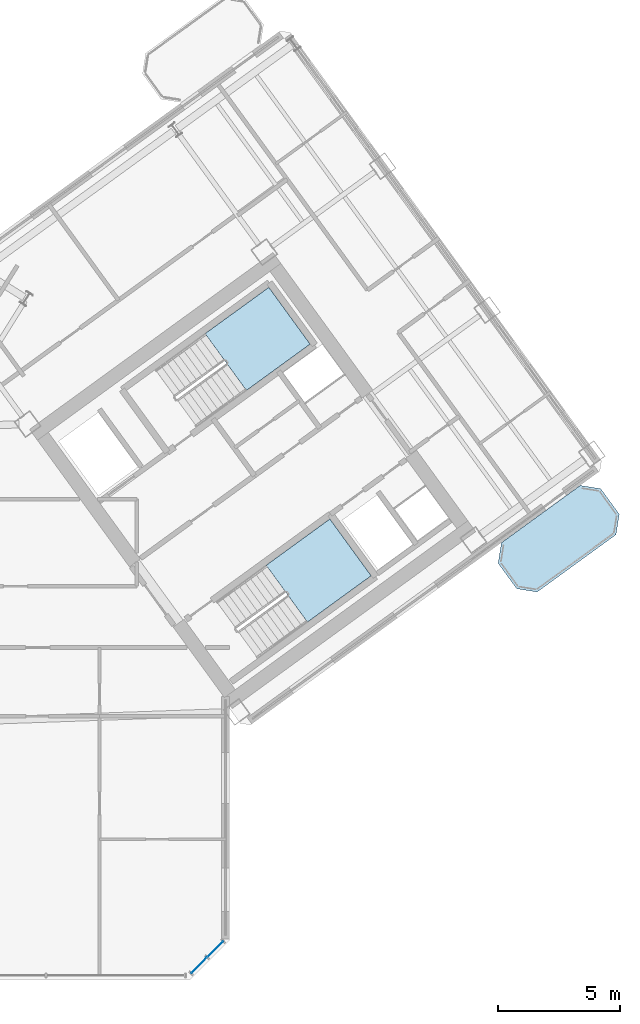
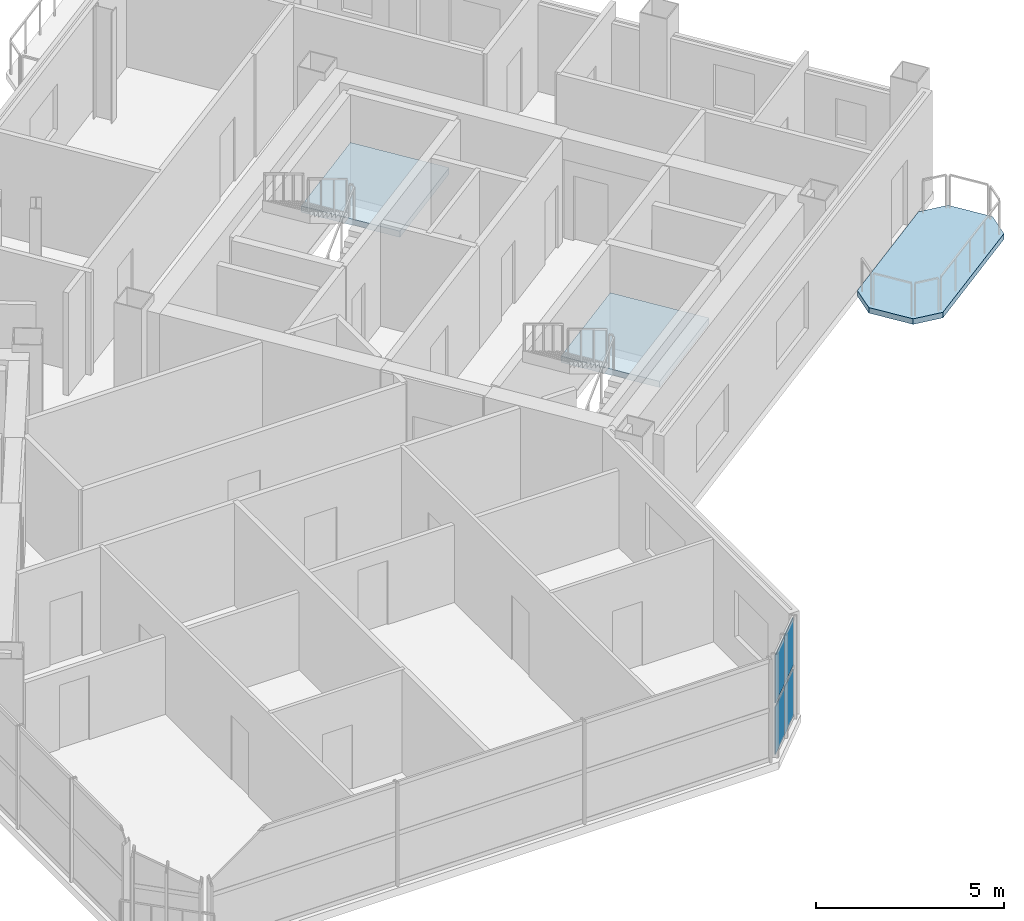
# One storey, part 10 of 21: 4 plates, 3 slabs, 3 elements without a shape of their own.
"""IFC4 building model written with IfcOpenShell, lengths in metres."""

from ifc_helpers import new_model, si_unit, direction, frame, origin, origin_2d, place, context, subcontext, project, spatial, polyline, rectangle, outline, extrude, source, transform, mapped, material, layer, layer_set, type_object, element, aggregate, save


model = new_model("IFC4")

# Units and contexts
model_context = context("Model", 3, precision=1e-05, world=origin(), true_north=direction((0.0, 1.0)))
body_context = subcontext(model_context, "Body", "Model", "MODEL_VIEW")
ifc_project = project(units=[si_unit("LENGTHUNIT", "METRE"), si_unit("AREAUNIT", "SQUARE_METRE"), si_unit("VOLUMEUNIT", "CUBIC_METRE"), si_unit("PLANEANGLEUNIT", "RADIAN"), si_unit("MASSUNIT", "GRAM", prefix="KILO")], contexts=[model_context])

# Site, building, storey
site_placement = place(None, origin())
site = spatial("IfcSite", under=ifc_project, at=site_placement, CompositionType="ELEMENT")
building_placement = place(site_placement, origin())
building = spatial("IfcBuilding", under=site, at=building_placement, Name="Tlacorven Tower", CompositionType="ELEMENT")
storey_placement = place(building_placement, frame((0.0, 0.0, 184.199951171875)))
storey = spatial("IfcBuildingStorey", under=building, at=storey_placement, Name="L46", CompositionType="ELEMENT", Elevation=184.199951171875)

# Slab
ifc_material_1 = material(Name="Precast concrete C45/55", Category="concrete")
ifc_layer_1 = layer(ifc_material_1, 0.179931640625)
ifc_layer_set_1 = layer_set([ifc_layer_1], Name="Precast concrete C45/55")
slab_type_1 = type_object("IfcSlabType", Name="SL-BAL-180", PredefinedType="USERDEFINED", material=ifc_layer_set_1)
slab_1_placement = place(storey_placement, frame((0.0, 0.0, -0.179931640625)))
element("IfcSlab", 1, at=slab_1_placement, inside=storey, type_object=slab_type_1, Name="L46 East Wing Balcony Ribbon OUT", ObjectType="BALCONY SLAB", PredefinedType="USERDEFINED", context=body_context, shape_type="SweptSolid", body=[
    extrude(outline(polyline([(65.025634765625, 17.69482421875), (68.26171875, 20.046142578125), (68.394287109375, 20.884033203125), (67.633056640625, 21.931884765625), (66.795166015625, 22.064453125), (63.55908203125, 19.71337890625), (63.42626953125, 18.875244140625), (64.1875, 17.82763671875), (65.025634765625, 17.69482421875)])), origin(), (0.0, 0.0, 1.0), 0.179931640625),
])

# Stair, slab
ifc_material_2 = material(Name="Concrete C40/50", Category="concrete")
stair_type = type_object("IfcStairType", Name="ST-CORE-DLG", PredefinedType="HALF_TURN_STAIR", material=ifc_material_2)
stair_1_placement = place(storey_placement, origin())
stair_1 = element("IfcStair", 2, at=stair_1_placement, inside=storey, type_object=stair_type, Name="L46 Protected Exit Stair East 1", PredefinedType="HALF_TURN_STAIR")
ifc_layer_2 = layer(ifc_material_2, 0.199951171875)
ifc_layer_set_2 = layer_set([ifc_layer_2], Name="Concrete C40/50")
slab_type_2 = type_object("IfcSlabType", Name="SL-LND-200", PredefinedType="LANDING", material=ifc_layer_set_2)
slab_2_placement = place(storey_placement, frame((0.0, 0.0, 1.60009765625)))
slab_2 = element("IfcSlab", 3, at=slab_2_placement, type_object=slab_type_2, Name="ST-E1 landing 1", PredefinedType="LANDING", context=body_context, shape_type="SweptSolid", body=[
    extrude(outline(polyline([(53.09765625, 25.962890625), (55.7109375, 27.861572265625), (54.01806640625, 30.19140625), (51.40478515625, 28.29296875), (53.09765625, 25.962890625)])), origin(), (0.0, 0.0, 1.0), 0.199951171875),
])
aggregate(stair_1, [slab_2])

stair_2_placement = place(storey_placement, origin())
stair_2 = element("IfcStair", 4, at=stair_2_placement, inside=storey, type_object=stair_type, Name="L46 Protected Exit Stair East 2", PredefinedType="HALF_TURN_STAIR")
slab_3_placement = place(storey_placement, frame((0.0, 0.0, 1.60009765625)))
slab_3 = element("IfcSlab", 5, at=slab_3_placement, type_object=slab_type_2, Name="ST-E2 landing 1", PredefinedType="LANDING", context=body_context, shape_type="SweptSolid", body=[
    extrude(outline(polyline([(55.601806640625, 16.4599609375), (58.21484375, 18.3583984375), (56.52197265625, 20.6884765625), (53.908935546875, 18.789794921875), (55.601806640625, 16.4599609375)])), origin(), (0.0, 0.0, 1.0), 0.199951171875),
])
aggregate(stair_2, [slab_3])

# Curtain wall, plates
ifc_material_3 = material(Name="Dark solar low-E double glazing in aluminium frame", Category="aluminium")
curtain_wall_type = type_object("IfcCurtainWallType", Name="CW-TWR-MID", PredefinedType="USERDEFINED", material=ifc_material_3)
curtain_wall_placement = place(storey_placement, origin())
curtain_wall = element("IfcCurtainWall", 6, at=curtain_wall_placement, inside=storey, type_object=curtain_wall_type, Name="L46 CW-TWR-MID Curtain Wall 212", ObjectType="UNITISED CURTAIN WALL", PredefinedType="USERDEFINED")
ifc_material_4 = material(Name="High-wind dark solar tempered low-E glazing", Category="glass")
ifc_layer_3 = layer(ifc_material_4, 0.028076171875)
ifc_layer_set_3 = layer_set([ifc_layer_3], Name="High-wind dark solar tempered low-E glazing")
plate_type = type_object("IfcPlateType", Name="CWP-03", PredefinedType="CURTAIN_PANEL", material=ifc_layer_set_3)
shared_shape = source(origin(), body_context, "Body", "SweptSolid", [
    extrude(rectangle(XDim=0.885498046875, YDim=0.028076171875, at=origin_2d()), origin(), (0.0, 0.0, 1.0), 1.552978515625),
])
plate_1_placement = place(storey_placement, frame((51.816650390625, 3.04296875, 0.06103515625), z_axis=(0.0, 0.0, 1.0), x_axis=(-0.707106781187, -0.707106781187, 0.0)))
plate_1 = element("IfcPlate", 7, at=plate_1_placement, type_object=plate_type, Name="CW-L46-212 Glazing Panel 1", PredefinedType="CURTAIN_PANEL", context=body_context, shape_type="MappedRepresentation", body=[
    mapped(shared_shape, transform((0.0, 0.0, 0.0), scale=1.0)),
])
plate_2_placement = place(storey_placement, frame((51.816650390625, 3.04296875, 1.73583984375), z_axis=(0.0, 0.0, 1.0), x_axis=(-0.707106781187, -0.707106781187, 0.0)))
plate_2 = element("IfcPlate", 8, at=plate_2_placement, type_object=plate_type, Name="CW-L46-212 Glazing Panel 2", PredefinedType="CURTAIN_PANEL", context=body_context, shape_type="MappedRepresentation", body=[
    mapped(shared_shape, transform((0.0, 0.0, 0.0), scale=1.0)),
])
plate_3_placement = place(storey_placement, frame((51.1572265625, 2.38330078125, 0.06103515625), z_axis=(0.0, 0.0, 1.0), x_axis=(-0.707106781187, -0.707106781187, 0.0)))
plate_3 = element("IfcPlate", 9, at=plate_3_placement, type_object=plate_type, Name="CW-L46-212 Glazing Panel 3", PredefinedType="CURTAIN_PANEL", context=body_context, shape_type="MappedRepresentation", body=[
    mapped(shared_shape, transform((0.0, 0.0, 0.0), scale=1.0)),
])
plate_4_placement = place(storey_placement, frame((51.1572265625, 2.38330078125, 1.73583984375), z_axis=(0.0, 0.0, 1.0), x_axis=(-0.707106781187, -0.707106781187, 0.0)))
plate_4 = element("IfcPlate", 10, at=plate_4_placement, type_object=plate_type, Name="CW-L46-212 Glazing Panel 4", PredefinedType="CURTAIN_PANEL", context=body_context, shape_type="MappedRepresentation", body=[
    mapped(shared_shape, transform((0.0, 0.0, 0.0), scale=1.0)),
])
aggregate(curtain_wall, [plate_1, plate_2, plate_3, plate_4])

save(model, "model.ifc")
